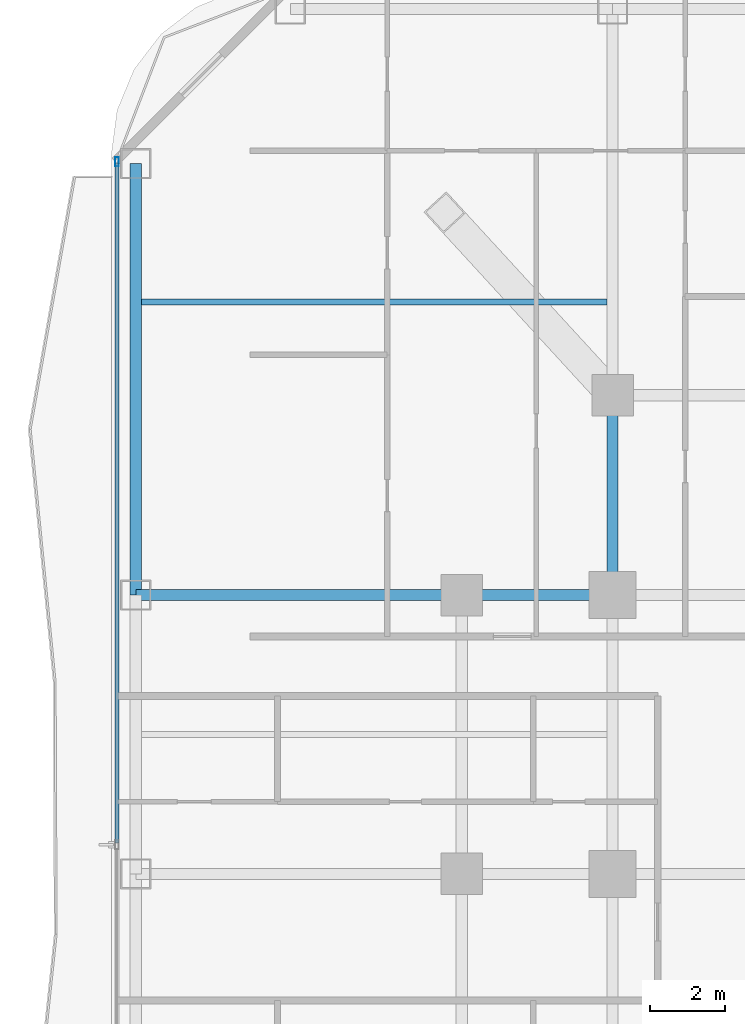
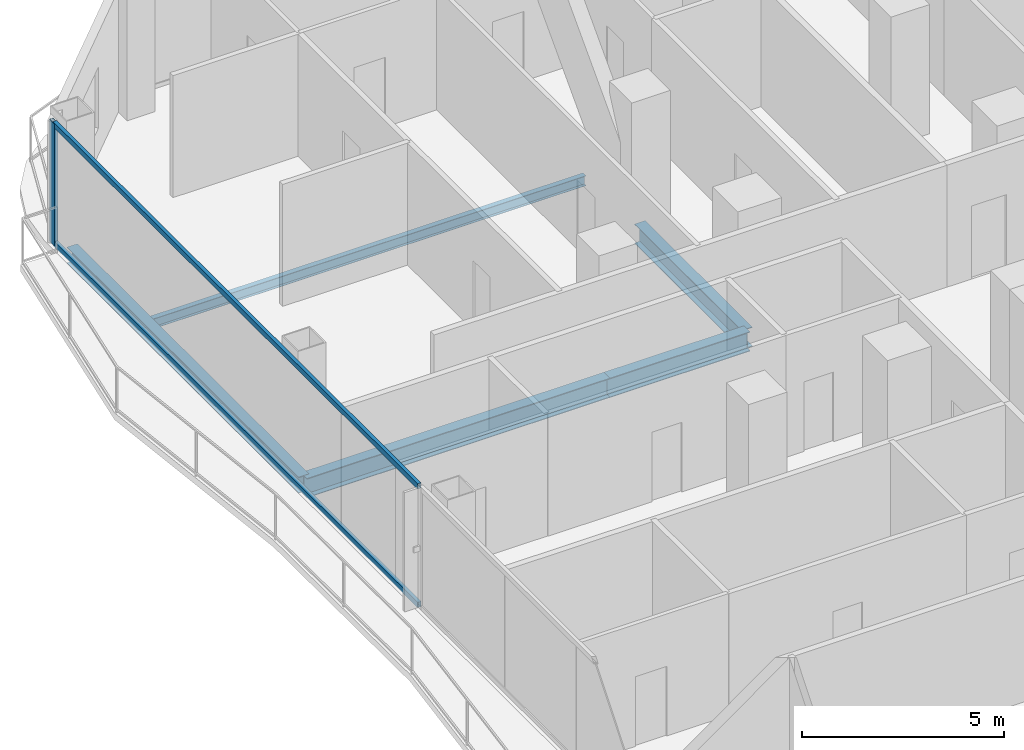
# One storey, part 12 of 28: 5 beams, 3 members, 1 element without a shape of its own.
"""IFC4 building model written with IfcOpenShell, lengths in metres."""

from ifc_helpers import new_model, si_unit, direction, frame, origin, origin_2d, place, context, subcontext, project, spatial, hollow_rectangle, i_section, extrude, material, layer, layer_set, material_profile, profile_set, type_object, element, aggregate, save


model = new_model("IFC4")

# Units and contexts
model_context = context("Model", 3, precision=1e-05, world=origin(), true_north=direction((0.0, 1.0)))
body_context = subcontext(model_context, "Body", "Model", "MODEL_VIEW")
ifc_project = project(units=[si_unit("LENGTHUNIT", "METRE"), si_unit("AREAUNIT", "SQUARE_METRE"), si_unit("VOLUMEUNIT", "CUBIC_METRE"), si_unit("PLANEANGLEUNIT", "RADIAN"), si_unit("MASSUNIT", "GRAM", prefix="KILO")], contexts=[model_context])

# Site, building, storey
site_placement = place(None, origin())
site = spatial("IfcSite", under=ifc_project, at=site_placement, CompositionType="ELEMENT")
building_placement = place(site_placement, origin())
building = spatial("IfcBuilding", under=site, at=building_placement, Name="Khorvyn Point Tower", CompositionType="ELEMENT")
storey_placement = place(building_placement, frame((0.0, 0.0, 89.10009765625)))
storey = spatial("IfcBuildingStorey", under=building, at=storey_placement, Name="L22", CompositionType="ELEMENT", Elevation=89.10009765625)

# Curtain wall, members
ifc_material_1 = material(Name="Anodised aluminium 6063-T6 and laminated Low-E glass", Category="aluminium")
ifc_layer = layer(ifc_material_1, 0.18994140625)
ifc_layer_set = layer_set([ifc_layer], Name="Stick-Built Finned Residential Curtain Wall CW-SYS-02")
curtain_wall_type = type_object("IfcCurtainWallType", Name="Stick-Built Finned Residential Curtain Wall CW-SYS-02", PredefinedType="NOTDEFINED", material=ifc_layer_set)
curtain_wall_placement = place(storey_placement, origin())
curtain_wall = element("IfcCurtainWall", 1, at=curtain_wall_placement, inside=storey, type_object=curtain_wall_type, Name="Curtain Wall", PredefinedType="NOTDEFINED")
ifc_material_2 = material(Name="Anodised aluminium 6063-T6", Category="aluminium")
ifc_material_profile_1 = material_profile(ifc_material_2, hollow_rectangle(XDim=0.10009765625, YDim=0.239990234375, WallThickness=0.0048828125, at=origin_2d()))
ifc_profile_set_1 = profile_set([ifc_material_profile_1], Name="Anodised aluminium 6063-T6 ALU-MUL-100x240")
member_type_1 = type_object("IfcMemberType", Name="Anodised Aluminium 6063-T6 Mullion ALU-MUL-100x240", PredefinedType="MULLION", material=ifc_profile_set_1)
member_1_placement = place(storey_placement, frame((-27.949951171875, 26.300048828125, 0.0), z_axis=(0.0, 0.0, 1.0), x_axis=(-1.0, 0.0, 0.0)))
member_1 = element("IfcMember", 2, at=member_1_placement, type_object=member_type_1, Name="Transom", PredefinedType="MULLION", context=body_context, shape_type="SweptSolid", body=[
    extrude(hollow_rectangle(XDim=0.10009765625, YDim=0.239990234375, WallThickness=0.0048828125, at=origin_2d()), origin(), (0.0, 0.0, 1.0), 3.679931640625),
])
ifc_material_profile_2 = material_profile(ifc_material_2, hollow_rectangle(XDim=0.10009765625, YDim=0.159912109375, WallThickness=0.00439453125, at=origin_2d()))
ifc_profile_set_2 = profile_set([ifc_material_profile_2], Name="Anodised aluminium 6063-T6 ALU-TRN-100x160")
member_type_2 = type_object("IfcMemberType", Name="Anodised Aluminium 6063-T6 Transom ALU-TRN-100x160", PredefinedType="USERDEFINED", material=ifc_profile_set_2)
member_2_placement = place(storey_placement, frame((-27.949951171875, 8.22509765625, 0.0498046875), z_axis=(0.0, 1.0, 0.0), x_axis=(-1.0, 0.0, 0.0)))
member_2 = element("IfcMember", 3, at=member_2_placement, type_object=member_type_2, Name="Transom", ObjectType="TRANSOM", PredefinedType="USERDEFINED", context=body_context, shape_type="SweptSolid", body=[
    extrude(hollow_rectangle(XDim=0.10009765625, YDim=0.159912109375, WallThickness=0.00439453125, at=origin_2d()), origin(), (0.0, 0.0, 1.0), 18.02490234375),
])
member_3_placement = place(storey_placement, frame((-27.949951171875, 8.22509765625, 3.6298828125), z_axis=(0.0, 1.0, 0.0), x_axis=(-1.0, 0.0, 0.0)))
member_3 = element("IfcMember", 4, at=member_3_placement, type_object=member_type_2, Name="Transom", ObjectType="TRANSOM", PredefinedType="USERDEFINED", context=body_context, shape_type="SweptSolid", body=[
    extrude(hollow_rectangle(XDim=0.10009765625, YDim=0.159912109375, WallThickness=0.00439453125, at=origin_2d()), origin(), (0.0, 0.0, 1.0), 18.02490234375),
])
aggregate(curtain_wall, [member_1, member_2, member_3])

# Beams
ifc_material_3 = material(Name="Steel S355", Category="steel")
ifc_material_profile_3 = material_profile(ifc_material_3, i_section(OverallWidth=0.300048828125, OverallDepth=0.587890625, WebThickness=0.011962890625, FlangeThickness=0.02001953125, at=origin_2d()))
ifc_profile_set_3 = profile_set([ifc_material_profile_3], Name="Steel S355 H588x300x12x20")
beam_type_1 = type_object("IfcBeamType", Name="Steel S355 Beam H588x300x12x20", PredefinedType="BEAM", material=ifc_profile_set_3)
beam_1_placement = place(storey_placement, frame((-27.449951171875, 14.800048828125, -0.51416015625), z_axis=(1.0, 0.0, 0.0), x_axis=(0.0, 1.0, 0.0)))
element("IfcBeam", 5, at=beam_1_placement, inside=storey, type_object=beam_type_1, Name="Beam", PredefinedType="BEAM", context=body_context, shape_type="SweptSolid", body=[
    extrude(i_section(OverallWidth=0.300048828125, OverallDepth=0.587890625, WebThickness=0.011962890625, FlangeThickness=0.02001953125, at=origin_2d()), origin(), (0.0, 0.0, 1.0), 8.64990234375),
])
beam_2_placement = place(storey_placement, frame((-18.800048828125, 14.800048828125, -0.51416015625), z_axis=(1.0, 0.0, 0.0), x_axis=(0.0, 1.0, 0.0)))
element("IfcBeam", 6, at=beam_2_placement, inside=storey, type_object=beam_type_1, Name="Beam", PredefinedType="BEAM", context=body_context, shape_type="SweptSolid", body=[
    extrude(i_section(OverallWidth=0.300048828125, OverallDepth=0.587890625, WebThickness=0.011962890625, FlangeThickness=0.02001953125, at=origin_2d()), origin(), (0.0, 0.0, 1.0), 4.0),
])
beam_3_placement = place(storey_placement, frame((-14.800048828125, 14.800048828125, -0.51416015625), z_axis=(0.0, 1.0, 0.0), x_axis=(-1.0, 0.0, 0.0)))
element("IfcBeam", 7, at=beam_3_placement, inside=storey, type_object=beam_type_1, Name="Beam", PredefinedType="BEAM", context=body_context, shape_type="SweptSolid", body=[
    extrude(i_section(OverallWidth=0.300048828125, OverallDepth=0.587890625, WebThickness=0.011962890625, FlangeThickness=0.02001953125, at=origin_2d()), origin(), (0.0, 0.0, 1.0), 5.300048828125),
])
ifc_material_profile_4 = material_profile(ifc_material_3, i_section(OverallWidth=0.14990234375, OverallDepth=0.300048828125, WebThickness=0.006591796875, FlangeThickness=0.009033203125, at=origin_2d()))
ifc_profile_set_4 = profile_set([ifc_material_profile_4], Name="Steel S355 H300x150x6.5x9")
beam_type_2 = type_object("IfcBeamType", Name="Steel S355 Joist H300x150x6.5x9", PredefinedType="JOIST", material=ifc_profile_set_4)
beam_4_placement = place(storey_placement, frame((-27.300048828125, 22.574951171875, -0.3701171875), z_axis=(1.0, 0.0, 0.0), x_axis=(0.0, 1.0, 0.0)))
element("IfcBeam", 8, at=beam_4_placement, inside=storey, type_object=beam_type_2, Name="Beam", PredefinedType="JOIST", context=body_context, shape_type="SweptSolid", body=[
    extrude(i_section(OverallWidth=0.14990234375, OverallDepth=0.300048828125, WebThickness=0.006591796875, FlangeThickness=0.009033203125, at=origin_2d()), origin(), (0.0, 0.0, 1.0), 12.35009765625),
])
ifc_material_profile_5 = material_profile(ifc_material_3, i_section(OverallWidth=0.300048828125, OverallDepth=0.488037109375, WebThickness=0.010986328125, FlangeThickness=0.01806640625, at=origin_2d()))
ifc_profile_set_5 = profile_set([ifc_material_profile_5], Name="Steel S355 H488x300x11x18")
beam_type_3 = type_object("IfcBeamType", Name="Steel S355 Spandrel H488x300x11x18", PredefinedType="SPANDREL", material=ifc_profile_set_5)
beam_5_placement = place(storey_placement, frame((-27.449951171875, 14.800048828125, -0.464111328125), z_axis=(0.0, 1.0, 0.0), x_axis=(-1.0, 0.0, 0.0)))
element("IfcBeam", 9, at=beam_5_placement, inside=storey, type_object=beam_type_3, Name="Beam", PredefinedType="SPANDREL", context=body_context, shape_type="SweptSolid", body=[
    extrude(i_section(OverallWidth=0.300048828125, OverallDepth=0.488037109375, WebThickness=0.010986328125, FlangeThickness=0.01806640625, at=origin_2d()), origin(), (0.0, 0.0, 1.0), 11.449951171875),
])

save(model, "model.ifc")
